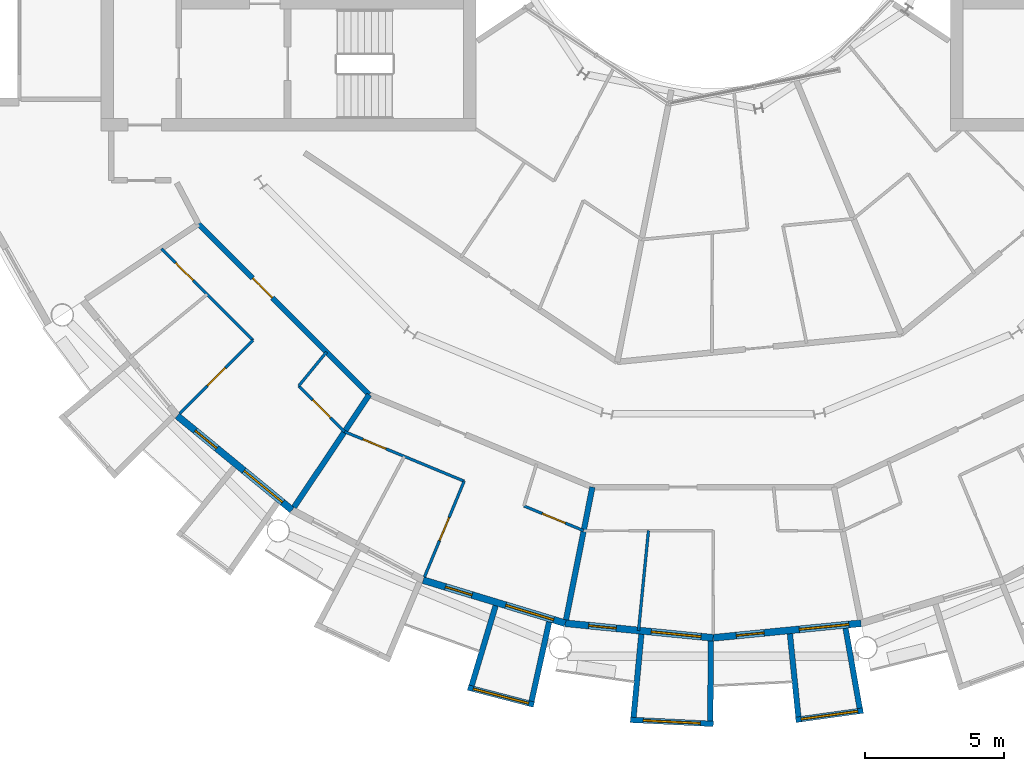
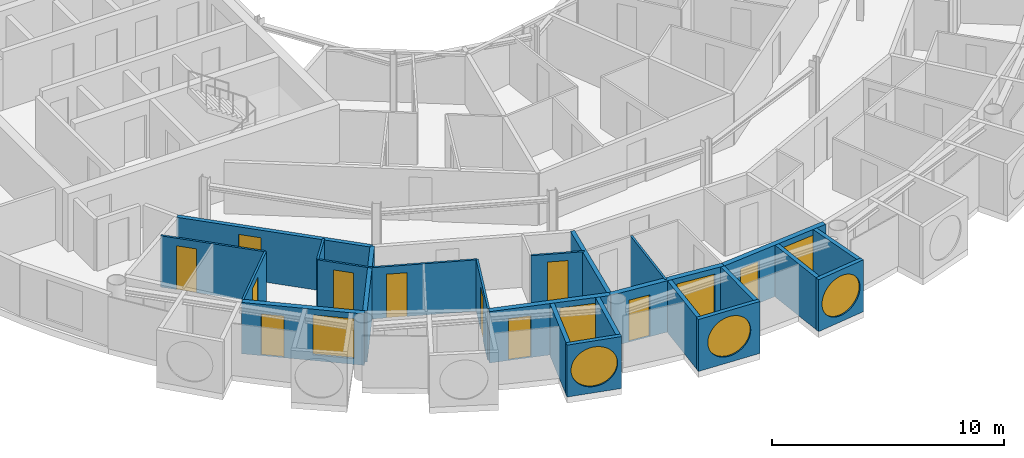
# One storey, part 15 of 29: 24 walls, 11 doors, 7 windows, 18 openings.
"""IFC4 building model written with IfcOpenShell, lengths in metres."""

from ifc_helpers import new_model, si_unit, direction, frame, frame_2d, origin, place, context, subcontext, project, spatial, rectangle, circle, extrude, material, layer, layer_set, type_object, element, fill, save


model = new_model("IFC4")

# Units and contexts
model_context = context("Model", 3, precision=1e-05, world=origin(), true_north=direction((0.0, 1.0)))
body_context = subcontext(model_context, "Body", "Model", "MODEL_VIEW")
ifc_project = project(units=[si_unit("LENGTHUNIT", "METRE"), si_unit("AREAUNIT", "SQUARE_METRE"), si_unit("VOLUMEUNIT", "CUBIC_METRE"), si_unit("PLANEANGLEUNIT", "RADIAN"), si_unit("MASSUNIT", "GRAM", prefix="KILO")], contexts=[model_context])

# Site, building, storey
site_placement = place(None, origin())
site = spatial("IfcSite", under=ifc_project, at=site_placement, CompositionType="ELEMENT")
building_placement = place(site_placement, origin())
building = spatial("IfcBuilding", under=site, at=building_placement, Name="Maasbend Ring Residences", CompositionType="ELEMENT")
storey_placement = place(building_placement, frame((0.0, 0.0, 215.75)))
storey = spatial("IfcBuildingStorey", under=building, at=storey_placement, Name="L62", CompositionType="ELEMENT", Elevation=215.75)

# Wall, opening, door
ifc_material_1 = material(Name="Concrete C30/37", Category="concrete")
ifc_layer_1 = layer(ifc_material_1, 0.199951171875)
ifc_layer_set_1 = layer_set([ifc_layer_1], Name="Concrete C30/37")
wall_type_1 = type_object("IfcWallType", Name="CORRIDOR WALL 200 CONCRETE", PredefinedType="PARTITIONING", material=ifc_layer_set_1)
wall_1_placement = place(storey_placement, frame((-18.5419921875, -12.388916015625, 0.0), z_axis=(0.0, 0.0, 1.0), x_axis=(0.707106781187, -0.707106781187, 0.0)))
wall_1 = element("IfcWall", 1, at=wall_1_placement, inside=storey, type_object=wall_type_1, Name="U-L62-w014", PredefinedType="PARTITIONING", context=body_context, shape_type="SweptSolid", body=[
    extrude(rectangle(XDim=8.70166015625, YDim=0.199951171875, at=frame_2d((4.350830078125, 0.0))), origin(), (0.0, 0.0, 1.0), 2.699951171875),
])
opening_1_placement = place(wall_1_placement, frame((2.762939453125, 0.0, 0.0)))
opening_1 = element("IfcOpeningElement", 2, at=opening_1_placement, cuts=wall_1, Name="Opening D-6235", PredefinedType="OPENING", context=body_context, shape_type="SweptSolid", body=[
    extrude(rectangle(XDim=1.0, YDim=2.300048828125, at=frame_2d((0.5, 1.14990234375))), frame((0.0, 0.10986328125, 0.0), z_axis=(0.0, -1.0, 0.0), x_axis=(1.0, 0.0, 0.0)), (0.0, 0.0, 1.0), 0.219970703125),
])
ifc_material_2 = material(Name="Timber, fire-rated, painted", Category="wood")
door_type_1 = type_object("IfcDoorType", Name="FLAT ENTRANCE DOOR 1000 X 2300 FIRE-RATED", OperationType="NOTDEFINED", PredefinedType="DOOR", material=ifc_material_2)
door_1_placement = place(opening_1_placement, origin())
door_1 = element("IfcDoor", 3, at=door_1_placement, inside=storey, type_object=door_type_1, Name="D-6235", OperationType="SINGLE_SWING_LEFT", OverallHeight=2.300048828125, OverallWidth=1.0, PredefinedType="DOOR", context=body_context, shape_type="SweptSolid", body=[
    extrude(rectangle(XDim=1.0, YDim=2.300048828125, at=frame_2d((0.5, 1.14990234375))), frame((0.0, 0.02490234375, 0.0), z_axis=(0.0, -1.0, 0.0), x_axis=(1.0, 0.0, 0.0)), (0.0, 0.0, 1.0), 0.050048828125),
])
fill(opening_1, door_1)

# Wall, opening, window
ifc_material_3 = material(Name="Pale anodised aluminium panel", Category="aluminium")
ifc_layer_2 = layer(ifc_material_3, 0.199951171875)
ifc_layer_set_2 = layer_set([ifc_layer_2], Name="EW-BOX")
wall_type_2 = type_object("IfcWallType", Name="EW-BOX", PredefinedType="SOLIDWALL", material=ifc_layer_set_2)
wall_2_placement = place(storey_placement, frame((-8.8291015625, -29.090087890625, -0.030029296875), z_axis=(0.0, 0.0, 1.0), x_axis=(0.96789536872, -0.251353446784, 0.0)))
wall_2 = element("IfcWall", 4, at=wall_2_placement, inside=storey, type_object=wall_type_2, Name="Box front S08", PredefinedType="SOLIDWALL", context=body_context, shape_type="SweptSolid", body=[
    extrude(rectangle(XDim=2.44677734375, YDim=0.199951171875, at=frame_2d((1.223388671875, 0.0))), origin(), (0.0, 0.0, 1.0), 2.72998046875),
])
opening_2_placement = place(wall_2_placement, frame((0.182861328125, 0.0, 0.330078125)))
opening_2 = element("IfcOpeningElement", 5, at=opening_2_placement, cuts=wall_2, Name="Opening W-RD", PredefinedType="OPENING", context=body_context, shape_type="SweptSolid", body=[
    extrude(circle(Radius=1.0400390625, at=frame_2d((1.0400390625, 1.0400390625))), frame((0.0, 0.10986328125, 0.0), z_axis=(0.0, -1.0, 0.0), x_axis=(1.0, 0.0, 0.0)), (0.0, 0.0, 1.0), 0.219970703125),
])
ifc_material_4 = material(Name="Aluminium and clear glass", Category="aluminium")
window_type_1 = type_object("IfcWindowType", Name="W-RD", PartitioningType="SINGLE_PANEL", PredefinedType="WINDOW", material=ifc_material_4)
window_1_placement = place(opening_2_placement, origin())
window_1 = element("IfcWindow", 6, at=window_1_placement, inside=storey, type_object=window_type_1, Name="Round window S08", OverallHeight=2.080078125, OverallWidth=2.080078125, PartitioningType="SINGLE_PANEL", PredefinedType="WINDOW", context=body_context, shape_type="SweptSolid", body=[
    extrude(circle(Radius=1.0400390625, at=frame_2d((1.0400390625, 1.0400390625))), frame((0.0, 0.030029296875, 0.0), z_axis=(0.0, -1.0, 0.0), x_axis=(1.0, 0.0, 0.0)), (0.0, 0.0, 1.0), 0.06005859375),
])
fill(opening_2, window_1)

# Walls
wall_3_placement = place(storey_placement, frame((-7.8369140625, -26.14404296875, -0.030029296875), z_axis=(0.0, 0.0, 1.0), x_axis=(-0.287064767992, -0.957911174889, 0.0)))
element("IfcWall", 7, at=wall_3_placement, inside=storey, type_object=wall_type_2, Name="Box side wall S08 left", PredefinedType="SOLIDWALL", context=body_context, shape_type="SweptSolid", body=[
    extrude(rectangle(XDim=3.00634765625, YDim=0.199951171875, at=frame_2d((1.503173828125, 0.0))), origin(), (0.0, 0.0, 1.0), 2.72998046875),
])
wall_4_placement = place(storey_placement, frame((-5.908935546875, -26.72900390625, -0.030029296875), z_axis=(0.0, 0.0, 1.0), x_axis=(-0.216409053917, -0.976302781612, 0.0)))
element("IfcWall", 8, at=wall_4_placement, inside=storey, type_object=wall_type_2, Name="Box side wall S08 right", PredefinedType="SOLIDWALL", context=body_context, shape_type="SweptSolid", body=[
    extrude(rectangle(XDim=2.92529296875, YDim=0.199951171875, at=frame_2d((1.462646484375, 0.0))), origin(), (0.0, 0.0, 1.0), 2.72998046875),
])

# Wall, opening, window
wall_5_placement = place(storey_placement, frame((-2.985107421875, -30.2529296875, -0.030029296875), z_axis=(0.0, 0.0, 1.0), x_axis=(0.998794083011, -0.049095618353, 0.0)))
wall_5 = element("IfcWall", 9, at=wall_5_placement, inside=storey, type_object=wall_type_2, Name="Box front S10", PredefinedType="SOLIDWALL", context=body_context, shape_type="SweptSolid", body=[
    extrude(rectangle(XDim=2.99365234375, YDim=0.199951171875, at=frame_2d((1.496826171875, 0.0))), origin(), (0.0, 0.0, 1.0), 2.72998046875),
])
opening_3_placement = place(wall_5_placement, frame((0.45654296875, 0.0, 0.330078125)))
opening_3 = element("IfcOpeningElement", 10, at=opening_3_placement, cuts=wall_5, Name="Opening W-RD", PredefinedType="OPENING", context=body_context, shape_type="SweptSolid", body=[
    extrude(circle(Radius=1.0400390625, at=frame_2d((1.0400390625, 1.0400390625))), frame((0.0, 0.10986328125, 0.0), z_axis=(0.0, -1.0, 0.0), x_axis=(1.0, 0.0, 0.0)), (0.0, 0.0, 1.0), 0.219970703125),
])
window_2_placement = place(opening_3_placement, origin())
window_2 = element("IfcWindow", 11, at=window_2_placement, inside=storey, type_object=window_type_1, Name="Round window S10", OverallHeight=2.080078125, OverallWidth=2.080078125, PartitioningType="SINGLE_PANEL", PredefinedType="WINDOW", context=body_context, shape_type="SweptSolid", body=[
    extrude(circle(Radius=1.0400390625, at=frame_2d((1.0400390625, 1.0400390625))), frame((0.0, 0.030029296875, 0.0), z_axis=(0.0, -1.0, 0.0), x_axis=(1.0, 0.0, 0.0)), (0.0, 0.0, 1.0), 0.06005859375),
])
fill(opening_3, window_2)

# Walls
wall_6_placement = place(storey_placement, frame((-2.5859375, -27.1708984375, -0.030029296875), z_axis=(0.0, 0.0, 1.0), x_axis=(-0.094548432284, -0.995520262954, 0.0)))
element("IfcWall", 12, at=wall_6_placement, inside=storey, type_object=wall_type_2, Name="Box side wall S10 left", PredefinedType="SOLIDWALL", context=body_context, shape_type="SweptSolid", body=[
    extrude(rectangle(XDim=3.005615234375, YDim=0.199951171875, at=frame_2d((1.5029296875, 0.0))), origin(), (0.0, 0.0, 1.0), 2.72998046875),
])
wall_7_placement = place(storey_placement, frame((-0.090087890625, -27.4169921875, -0.030029296875), z_axis=(0.0, 0.0, 1.0), x_axis=(-0.00347308367, -0.999993968827, 0.0)))
element("IfcWall", 13, at=wall_7_placement, inside=storey, type_object=wall_type_2, Name="Box side wall S10 right", PredefinedType="SOLIDWALL", context=body_context, shape_type="SweptSolid", body=[
    extrude(rectangle(XDim=2.882080078125, YDim=0.199951171875, at=frame_2d((1.44091796875, 0.0))), origin(), (0.0, 0.0, 1.0), 2.72998046875),
])

# Wall, opening, window
wall_8_placement = place(storey_placement, frame((2.97607421875, -30.25390625, -0.030029296875), z_axis=(0.0, 0.0, 1.0), x_axis=(0.990462016113, 0.137786046596, 0.0)))
wall_8 = element("IfcWall", 14, at=wall_8_placement, inside=storey, type_object=wall_type_2, Name="Box front S12", PredefinedType="SOLIDWALL", context=body_context, shape_type="SweptSolid", body=[
    extrude(rectangle(XDim=2.4453125, YDim=0.199951171875, at=frame_2d((1.22265625, 0.0))), origin(), (0.0, 0.0, 1.0), 2.72998046875),
])
opening_4_placement = place(wall_8_placement, frame((0.182861328125, 0.0, 0.330078125)))
opening_4 = element("IfcOpeningElement", 15, at=opening_4_placement, cuts=wall_8, Name="Opening W-RD", PredefinedType="OPENING", context=body_context, shape_type="SweptSolid", body=[
    extrude(circle(Radius=1.0400390625, at=frame_2d((1.0400390625, 1.0400390625))), frame((0.0, 0.10986328125, 0.0), z_axis=(0.0, -1.0, 0.0), x_axis=(1.0, 0.0, 0.0)), (0.0, 0.0, 1.0), 0.219970703125),
])
window_3_placement = place(opening_4_placement, origin())
window_3 = element("IfcWindow", 16, at=window_3_placement, inside=storey, type_object=window_type_1, Name="Round window S12", OverallHeight=2.080078125, OverallWidth=2.080078125, PartitioningType="SINGLE_PANEL", PredefinedType="WINDOW", context=body_context, shape_type="SweptSolid", body=[
    extrude(circle(Radius=1.0400390625, at=frame_2d((1.0400390625, 1.0400390625))), frame((0.0, 0.030029296875, 0.0), z_axis=(0.0, -1.0, 0.0), x_axis=(1.0, 0.0, 0.0)), (0.0, 0.0, 1.0), 0.06005859375),
])
fill(opening_4, window_3)

# Walls
wall_9_placement = place(storey_placement, frame((2.763916015625, -27.153076171875, -0.030029296875), z_axis=(0.0, 0.0, 1.0), x_axis=(0.101505487237, -0.994834979311, 0.0)))
element("IfcWall", 17, at=wall_9_placement, inside=storey, type_object=wall_type_2, Name="Box side wall S12 left", PredefinedType="SOLIDWALL", context=body_context, shape_type="SweptSolid", body=[
    extrude(rectangle(XDim=3.006591796875, YDim=0.199951171875, at=frame_2d((1.50341796875, 0.0))), origin(), (0.0, 0.0, 1.0), 2.72998046875),
])
wall_10_placement = place(storey_placement, frame((4.76904296875, -26.9560546875, -0.030029296875), z_axis=(0.0, 0.0, 1.0), x_axis=(0.174056778901, -0.984735618183, 0.0)))
element("IfcWall", 18, at=wall_10_placement, inside=storey, type_object=wall_type_2, Name="Box side wall S12 right", PredefinedType="SOLIDWALL", context=body_context, shape_type="SweptSolid", body=[
    extrude(rectangle(XDim=2.924560546875, YDim=0.199951171875, at=frame_2d((1.46240234375, 0.0))), origin(), (0.0, 0.0, 1.0), 2.72998046875),
])

# Wall, openings, door, window
ifc_material_5 = material(Name="Aluminium clad insulated panel", Category="aluminium")
ifc_layer_3 = layer(ifc_material_5, 0.25)
ifc_layer_set_3 = layer_set([ifc_layer_3], Name="EW-GL")
wall_type_3 = type_object("IfcWallType", Name="EW-GL", PredefinedType="SOLIDWALL", material=ifc_layer_set_3)
wall_11_placement = place(storey_placement, frame((-19.303955078125, -19.303955078125, 0.0), z_axis=(0.0, 0.0, 1.0), x_axis=(0.773019449054, -0.634382322723, 0.0)))
wall_11 = element("IfcWall", 19, at=wall_11_placement, inside=storey, type_object=wall_type_3, Name="External wall S02", PredefinedType="SOLIDWALL", context=body_context, shape_type="SweptSolid", body=[
    extrude(rectangle(XDim=5.351806640625, YDim=0.25, at=frame_2d((2.67578125, 0.0))), origin(), (0.0, 0.0, 1.0), 2.699951171875),
])
opening_5_placement = place(wall_11_placement, frame((0.841064453125, 0.0, 0.0)))
opening_5 = element("IfcOpeningElement", 20, at=opening_5_placement, cuts=wall_11, Name="Opening D-LG", PredefinedType="OPENING", context=body_context, shape_type="SweptSolid", body=[
    extrude(rectangle(XDim=1.0, YDim=2.199951171875, at=frame_2d((0.5, 1.10009765625))), frame((0.0, 0.135009765625, 0.0), z_axis=(0.0, -1.0, 0.0), x_axis=(1.0, 0.0, 0.0)), (0.0, 0.0, 1.0), 0.27001953125),
])
opening_6_placement = place(wall_11_placement, frame((3.110595703125, 0.0, 0.300048828125)))
opening_6 = element("IfcOpeningElement", 21, at=opening_6_placement, cuts=wall_11, Name="Opening W-BX", PredefinedType="OPENING", context=body_context, shape_type="SweptSolid", body=[
    extrude(rectangle(XDim=1.800048828125, YDim=2.10009765625, at=frame_2d((0.89990234375, 1.050048828125))), frame((0.0, 0.135009765625, 0.0), z_axis=(0.0, -1.0, 0.0), x_axis=(1.0, 0.0, 0.0)), (0.0, 0.0, 1.0), 0.27001953125),
])
ifc_material_6 = material(Name="Aluminium and clear glass", Category="aluminium")
door_type_2 = type_object("IfcDoorType", Name="D-LG", OperationType="SINGLE_SWING_LEFT", PredefinedType="DOOR", material=ifc_material_6)
door_2_placement = place(opening_5_placement, origin())
door_2 = element("IfcDoor", 22, at=door_2_placement, inside=storey, type_object=door_type_2, Name="Loggia door S03", OperationType="SINGLE_SWING_LEFT", OverallHeight=2.199951171875, OverallWidth=1.0, PredefinedType="DOOR", context=body_context, shape_type="SweptSolid", body=[
    extrude(rectangle(XDim=1.0, YDim=2.199951171875, at=frame_2d((0.5, 1.10009765625))), frame((0.0, 0.02490234375, 0.0), z_axis=(0.0, -1.0, 0.0), x_axis=(1.0, 0.0, 0.0)), (0.0, 0.0, 1.0), 0.050048828125),
])
fill(opening_5, door_2)
ifc_material_7 = material(Name="Aluminium and clear glass", Category="aluminium")
window_type_2 = type_object("IfcWindowType", Name="W-BX", PartitioningType="DOUBLE_PANEL_VERTICAL", PredefinedType="WINDOW", material=ifc_material_7)
window_4_placement = place(opening_6_placement, origin())
window_4 = element("IfcWindow", 23, at=window_4_placement, inside=storey, type_object=window_type_2, Name="Window S04 room to box", OverallHeight=2.10009765625, OverallWidth=1.800048828125, PartitioningType="SINGLE_PANEL", PredefinedType="WINDOW", context=body_context, shape_type="SweptSolid", body=[
    extrude(rectangle(XDim=1.800048828125, YDim=2.10009765625, at=frame_2d((0.89990234375, 1.050048828125))), frame((0.0, 0.030029296875, 0.0), z_axis=(0.0, -1.0, 0.0), x_axis=(1.0, 0.0, 0.0)), (0.0, 0.0, 1.0), 0.06005859375),
])
fill(opening_6, window_4)

wall_12_placement = place(storey_placement, frame((-10.447021484375, -25.221923828125, 0.0), z_axis=(0.0, 0.0, 1.0), x_axis=(0.956965678721, -0.290201119486, 0.0)))
wall_12 = element("IfcWall", 24, at=wall_12_placement, inside=storey, type_object=wall_type_3, Name="External wall S04", PredefinedType="SOLIDWALL", context=body_context, shape_type="SweptSolid", body=[
    extrude(rectangle(XDim=5.351318359375, YDim=0.25, at=frame_2d((2.67578125, 0.0))), origin(), (0.0, 0.0, 1.0), 2.699951171875),
])
opening_7_placement = place(wall_12_placement, frame((0.841064453125, 0.0, 0.0)))
opening_7 = element("IfcOpeningElement", 25, at=opening_7_placement, cuts=wall_12, Name="Opening D-LG", PredefinedType="OPENING", context=body_context, shape_type="SweptSolid", body=[
    extrude(rectangle(XDim=1.0, YDim=2.199951171875, at=frame_2d((0.5, 1.10009765625))), frame((0.0, 0.135009765625, 0.0), z_axis=(0.0, -1.0, 0.0), x_axis=(1.0, 0.0, 0.0)), (0.0, 0.0, 1.0), 0.27001953125),
])
opening_8_placement = place(wall_12_placement, frame((3.110595703125, 0.0, 0.300048828125)))
opening_8 = element("IfcOpeningElement", 26, at=opening_8_placement, cuts=wall_12, Name="Opening W-BX", PredefinedType="OPENING", context=body_context, shape_type="SweptSolid", body=[
    extrude(rectangle(XDim=1.800048828125, YDim=2.10009765625, at=frame_2d((0.89990234375, 1.050048828125))), frame((0.0, 0.135009765625, 0.0), z_axis=(0.0, -1.0, 0.0), x_axis=(1.0, 0.0, 0.0)), (0.0, 0.0, 1.0), 0.27001953125),
])
door_3_placement = place(opening_7_placement, origin())
door_3 = element("IfcDoor", 27, at=door_3_placement, inside=storey, type_object=door_type_2, Name="Loggia door S07", OperationType="SINGLE_SWING_LEFT", OverallHeight=2.199951171875, OverallWidth=1.0, PredefinedType="DOOR", context=body_context, shape_type="SweptSolid", body=[
    extrude(rectangle(XDim=1.0, YDim=2.199951171875, at=frame_2d((0.5, 1.10009765625))), frame((0.0, 0.02490234375, 0.0), z_axis=(0.0, -1.0, 0.0), x_axis=(1.0, 0.0, 0.0)), (0.0, 0.0, 1.0), 0.050048828125),
])
fill(opening_7, door_3)
window_5_placement = place(opening_8_placement, origin())
window_5 = element("IfcWindow", 28, at=window_5_placement, inside=storey, type_object=window_type_2, Name="Window S08 room to box", OverallHeight=2.10009765625, OverallWidth=1.800048828125, PartitioningType="SINGLE_PANEL", PredefinedType="WINDOW", context=body_context, shape_type="SweptSolid", body=[
    extrude(rectangle(XDim=1.800048828125, YDim=2.10009765625, at=frame_2d((0.89990234375, 1.050048828125))), frame((0.0, 0.030029296875, 0.0), z_axis=(0.0, -1.0, 0.0), x_axis=(1.0, 0.0, 0.0)), (0.0, 0.0, 1.0), 0.06005859375),
])
fill(opening_8, window_5)

wall_13_placement = place(storey_placement, frame((-5.325927734375, -26.77490234375, 0.0), z_axis=(0.0, 0.0, 1.0), x_axis=(0.995173996315, -0.098126026407, 0.0)))
wall_13 = element("IfcWall", 29, at=wall_13_placement, inside=storey, type_object=wall_type_3, Name="External wall S05", PredefinedType="SOLIDWALL", context=body_context, shape_type="SweptSolid", body=[
    extrude(rectangle(XDim=5.351806640625, YDim=0.25, at=frame_2d((2.67578125, 0.0))), origin(), (0.0, 0.0, 1.0), 2.699951171875),
])
opening_9_placement = place(wall_13_placement, frame((0.841064453125, 0.0, 0.0)))
opening_9 = element("IfcOpeningElement", 30, at=opening_9_placement, cuts=wall_13, Name="Opening D-LG", PredefinedType="OPENING", context=body_context, shape_type="SweptSolid", body=[
    extrude(rectangle(XDim=1.0, YDim=2.199951171875, at=frame_2d((0.5, 1.10009765625))), frame((0.0, 0.135009765625, 0.0), z_axis=(0.0, -1.0, 0.0), x_axis=(1.0, 0.0, 0.0)), (0.0, 0.0, 1.0), 0.27001953125),
])
opening_10_placement = place(wall_13_placement, frame((3.110595703125, 0.0, 0.300048828125)))
opening_10 = element("IfcOpeningElement", 31, at=opening_10_placement, cuts=wall_13, Name="Opening W-BX", PredefinedType="OPENING", context=body_context, shape_type="SweptSolid", body=[
    extrude(rectangle(XDim=1.800048828125, YDim=2.10009765625, at=frame_2d((0.89990234375, 1.050048828125))), frame((0.0, 0.135009765625, 0.0), z_axis=(0.0, -1.0, 0.0), x_axis=(1.0, 0.0, 0.0)), (0.0, 0.0, 1.0), 0.27001953125),
])
door_4_placement = place(opening_9_placement, origin())
door_4 = element("IfcDoor", 32, at=door_4_placement, inside=storey, type_object=door_type_2, Name="Loggia door S09", OperationType="SINGLE_SWING_LEFT", OverallHeight=2.199951171875, OverallWidth=1.0, PredefinedType="DOOR", context=body_context, shape_type="SweptSolid", body=[
    extrude(rectangle(XDim=1.0, YDim=2.199951171875, at=frame_2d((0.5, 1.10009765625))), frame((0.0, 0.02490234375, 0.0), z_axis=(0.0, -1.0, 0.0), x_axis=(1.0, 0.0, 0.0)), (0.0, 0.0, 1.0), 0.050048828125),
])
fill(opening_9, door_4)
window_6_placement = place(opening_10_placement, origin())
window_6 = element("IfcWindow", 33, at=window_6_placement, inside=storey, type_object=window_type_2, Name="Window S10 room to box", OverallHeight=2.10009765625, OverallWidth=1.800048828125, PartitioningType="SINGLE_PANEL", PredefinedType="WINDOW", context=body_context, shape_type="SweptSolid", body=[
    extrude(rectangle(XDim=1.800048828125, YDim=2.10009765625, at=frame_2d((0.89990234375, 1.050048828125))), frame((0.0, 0.030029296875, 0.0), z_axis=(0.0, -1.0, 0.0), x_axis=(1.0, 0.0, 0.0)), (0.0, 0.0, 1.0), 0.06005859375),
])
fill(opening_10, window_6)

wall_14_placement = place(storey_placement, frame((0.0, -27.300048828125, 0.0), z_axis=(0.0, 0.0, 1.0), x_axis=(0.995173996315, 0.098126026407, 0.0)))
wall_14 = element("IfcWall", 34, at=wall_14_placement, inside=storey, type_object=wall_type_3, Name="External wall S06", PredefinedType="SOLIDWALL", context=body_context, shape_type="SweptSolid", body=[
    extrude(rectangle(XDim=5.351806640625, YDim=0.25, at=frame_2d((2.67578125, 0.0))), origin(), (0.0, 0.0, 1.0), 2.699951171875),
])
opening_11_placement = place(wall_14_placement, frame((0.841064453125, 0.0, 0.0)))
opening_11 = element("IfcOpeningElement", 35, at=opening_11_placement, cuts=wall_14, Name="Opening D-LG", PredefinedType="OPENING", context=body_context, shape_type="SweptSolid", body=[
    extrude(rectangle(XDim=1.0, YDim=2.199951171875, at=frame_2d((0.5, 1.10009765625))), frame((0.0, 0.135009765625, 0.0), z_axis=(0.0, -1.0, 0.0), x_axis=(1.0, 0.0, 0.0)), (0.0, 0.0, 1.0), 0.27001953125),
])
opening_12_placement = place(wall_14_placement, frame((3.110595703125, 0.0, 0.300048828125)))
opening_12 = element("IfcOpeningElement", 36, at=opening_12_placement, cuts=wall_14, Name="Opening W-BX", PredefinedType="OPENING", context=body_context, shape_type="SweptSolid", body=[
    extrude(rectangle(XDim=1.800048828125, YDim=2.10009765625, at=frame_2d((0.89990234375, 1.050048828125))), frame((0.0, 0.135009765625, 0.0), z_axis=(0.0, -1.0, 0.0), x_axis=(1.0, 0.0, 0.0)), (0.0, 0.0, 1.0), 0.27001953125),
])
door_5_placement = place(opening_11_placement, origin())
door_5 = element("IfcDoor", 37, at=door_5_placement, inside=storey, type_object=door_type_2, Name="Loggia door S11", OperationType="SINGLE_SWING_LEFT", OverallHeight=2.199951171875, OverallWidth=1.0, PredefinedType="DOOR", context=body_context, shape_type="SweptSolid", body=[
    extrude(rectangle(XDim=1.0, YDim=2.199951171875, at=frame_2d((0.5, 1.10009765625))), frame((0.0, 0.02490234375, 0.0), z_axis=(0.0, -1.0, 0.0), x_axis=(1.0, 0.0, 0.0)), (0.0, 0.0, 1.0), 0.050048828125),
])
fill(opening_11, door_5)
window_7_placement = place(opening_12_placement, origin())
window_7 = element("IfcWindow", 38, at=window_7_placement, inside=storey, type_object=window_type_2, Name="Window S12 room to box", OverallHeight=2.10009765625, OverallWidth=1.800048828125, PartitioningType="SINGLE_PANEL", PredefinedType="WINDOW", context=body_context, shape_type="SweptSolid", body=[
    extrude(rectangle(XDim=1.800048828125, YDim=2.10009765625, at=frame_2d((0.89990234375, 1.050048828125))), frame((0.0, 0.030029296875, 0.0), z_axis=(0.0, -1.0, 0.0), x_axis=(1.0, 0.0, 0.0)), (0.0, 0.0, 1.0), 0.06005859375),
])
fill(opening_12, window_7)

# Wall, opening, door
ifc_material_8 = material(Name="Gypsum board on steel studs", Category="steel")
ifc_layer_4 = layer(ifc_material_8, 0.10009765625)
ifc_layer_set_4 = layer_set([ifc_layer_4], Name="PARTITION 100 GYPSUM")
wall_type_4 = type_object("IfcWallType", Name="PARTITION 100 GYPSUM", PredefinedType="PARTITIONING", material=ifc_layer_set_4)
wall_15_placement = place(storey_placement, frame((-19.868896484375, -13.284912109375, 0.0), z_axis=(0.0, 0.0, 1.0), x_axis=(0.707290020325, -0.706923494552, 0.0)))
wall_15 = element("IfcWall", 39, at=wall_15_placement, inside=storey, type_object=wall_type_4, Name="U-L62-w003", PredefinedType="PARTITIONING", context=body_context, shape_type="SweptSolid", body=[
    extrude(rectangle(XDim=4.66259765625, YDim=0.10009765625, at=frame_2d((2.331298828125, 0.0))), origin(), (0.0, 0.0, 1.0), 2.699951171875),
])
opening_13_placement = place(wall_15_placement, frame((0.7119140625, 0.0, 0.0)))
opening_13 = element("IfcOpeningElement", 40, at=opening_13_placement, cuts=wall_15, Name="Opening D-6238", PredefinedType="OPENING", context=body_context, shape_type="SweptSolid", body=[
    extrude(rectangle(XDim=0.89990234375, YDim=2.300048828125, at=frame_2d((0.449951171875, 1.14990234375))), frame((0.0, 0.06005859375, 0.0), z_axis=(0.0, -1.0, 0.0), x_axis=(1.0, 0.0, 0.0)), (0.0, 0.0, 1.0), 0.1201171875),
])
ifc_material_9 = material(Name="Timber, painted", Category="wood")
door_type_3 = type_object("IfcDoorType", Name="INTERNAL DOOR 900 X 2300", OperationType="NOTDEFINED", PredefinedType="DOOR", material=ifc_material_9)
door_6_placement = place(opening_13_placement, origin())
door_6 = element("IfcDoor", 41, at=door_6_placement, inside=storey, type_object=door_type_3, Name="D-6238", OperationType="SINGLE_SWING_LEFT", OverallHeight=2.300048828125, OverallWidth=0.89990234375, PredefinedType="DOOR", context=body_context, shape_type="SweptSolid", body=[
    extrude(rectangle(XDim=0.89990234375, YDim=2.300048828125, at=frame_2d((0.449951171875, 1.14990234375))), frame((0.0, 0.02490234375, 0.0), z_axis=(0.0, -1.0, 0.0), x_axis=(1.0, 0.0, 0.0)), (0.0, 0.0, 1.0), 0.050048828125),
])
fill(opening_13, door_6)

wall_16_placement = place(storey_placement, frame((-14.927001953125, -18.22412109375, 0.0), z_axis=(0.0, 0.0, 1.0), x_axis=(0.707316201218, -0.706897299114, 0.0)))
wall_16 = element("IfcWall", 42, at=wall_16_placement, inside=storey, type_object=wall_type_4, Name="U-L62-w004", PredefinedType="PARTITIONING", context=body_context, shape_type="SweptSolid", body=[
    extrude(rectangle(XDim=2.331298828125, YDim=0.10009765625, at=frame_2d((1.16552734375, 0.0))), origin(), (0.0, 0.0, 1.0), 2.699951171875),
])
opening_14_placement = place(wall_16_placement, frame((0.716064453125, 0.0, 0.0)))
opening_14 = element("IfcOpeningElement", 43, at=opening_14_placement, cuts=wall_16, Name="Opening D-6236", PredefinedType="OPENING", context=body_context, shape_type="SweptSolid", body=[
    extrude(rectangle(XDim=0.89990234375, YDim=2.300048828125, at=frame_2d((0.449951171875, 1.14990234375))), frame((0.0, 0.06005859375, 0.0), z_axis=(0.0, -1.0, 0.0), x_axis=(1.0, 0.0, 0.0)), (0.0, 0.0, 1.0), 0.1201171875),
])
door_7_placement = place(opening_14_placement, origin())
door_7 = element("IfcDoor", 44, at=door_7_placement, inside=storey, type_object=door_type_3, Name="D-6236", OperationType="SINGLE_SWING_LEFT", OverallHeight=2.300048828125, OverallWidth=0.89990234375, PredefinedType="DOOR", context=body_context, shape_type="SweptSolid", body=[
    extrude(rectangle(XDim=0.89990234375, YDim=2.300048828125, at=frame_2d((0.449951171875, 1.14990234375))), frame((0.0, 0.02490234375, 0.0), z_axis=(0.0, -1.0, 0.0), x_axis=(1.0, 0.0, 0.0)), (0.0, 0.0, 1.0), 0.050048828125),
])
fill(opening_14, door_7)

wall_17_placement = place(storey_placement, frame((-13.278076171875, -19.873046875, 0.0), z_axis=(0.0, 0.0, 1.0), x_axis=(0.923920484476, -0.38258455061, 0.0)))
wall_17 = element("IfcWall", 45, at=wall_17_placement, inside=storey, type_object=wall_type_4, Name="U-L62-w005", PredefinedType="PARTITIONING", context=body_context, shape_type="SweptSolid", body=[
    extrude(rectangle(XDim=4.662841796875, YDim=0.10009765625, at=frame_2d((2.33154296875, 0.0))), origin(), (0.0, 0.0, 1.0), 2.699951171875),
])
opening_15_placement = place(wall_17_placement, frame((0.715087890625, 0.0, 0.0)))
opening_15 = element("IfcOpeningElement", 46, at=opening_15_placement, cuts=wall_17, Name="Opening D-6242", PredefinedType="OPENING", context=body_context, shape_type="SweptSolid", body=[
    extrude(rectangle(XDim=0.89990234375, YDim=2.300048828125, at=frame_2d((0.449951171875, 1.14990234375))), frame((0.0, 0.06005859375, 0.0), z_axis=(0.0, -1.0, 0.0), x_axis=(1.0, 0.0, 0.0)), (0.0, 0.0, 1.0), 0.1201171875),
])
door_8_placement = place(opening_15_placement, origin())
door_8 = element("IfcDoor", 47, at=door_8_placement, inside=storey, type_object=door_type_3, Name="D-6242", OperationType="SINGLE_SWING_LEFT", OverallHeight=2.300048828125, OverallWidth=0.89990234375, PredefinedType="DOOR", context=body_context, shape_type="SweptSolid", body=[
    extrude(rectangle(XDim=0.89990234375, YDim=2.300048828125, at=frame_2d((0.449951171875, 1.14990234375))), frame((0.0, 0.02490234375, 0.0), z_axis=(0.0, -1.0, 0.0), x_axis=(1.0, 0.0, 0.0)), (0.0, 0.0, 1.0), 0.050048828125),
])
fill(opening_15, door_8)

wall_18_placement = place(storey_placement, frame((-6.81689453125, -22.549072265625, 0.0), z_axis=(0.0, 0.0, 1.0), x_axis=(0.923923664861, -0.382576870068, 0.0)))
wall_18 = element("IfcWall", 48, at=wall_18_placement, inside=storey, type_object=wall_type_4, Name="U-L62-w006", PredefinedType="PARTITIONING", context=body_context, shape_type="SweptSolid", body=[
    extrude(rectangle(XDim=2.3310546875, YDim=0.10009765625, at=frame_2d((1.16552734375, 0.0))), origin(), (0.0, 0.0, 1.0), 2.699951171875),
])
opening_16_placement = place(wall_18_placement, frame((0.716064453125, 0.0, 0.0)))
opening_16 = element("IfcOpeningElement", 49, at=opening_16_placement, cuts=wall_18, Name="Opening D-6240", PredefinedType="OPENING", context=body_context, shape_type="SweptSolid", body=[
    extrude(rectangle(XDim=0.89990234375, YDim=2.300048828125, at=frame_2d((0.449951171875, 1.14990234375))), frame((0.0, 0.06005859375, 0.0), z_axis=(0.0, -1.0, 0.0), x_axis=(1.0, 0.0, 0.0)), (0.0, 0.0, 1.0), 0.1201171875),
])
door_9_placement = place(opening_16_placement, origin())
door_9 = element("IfcDoor", 50, at=door_9_placement, inside=storey, type_object=door_type_3, Name="D-6240", OperationType="SINGLE_SWING_LEFT", OverallHeight=2.300048828125, OverallWidth=0.89990234375, PredefinedType="DOOR", context=body_context, shape_type="SweptSolid", body=[
    extrude(rectangle(XDim=0.89990234375, YDim=2.300048828125, at=frame_2d((0.449951171875, 1.14990234375))), frame((0.0, 0.02490234375, 0.0), z_axis=(0.0, -1.0, 0.0), x_axis=(1.0, 0.0, 0.0)), (0.0, 0.0, 1.0), 0.050048828125),
])
fill(opening_16, door_9)

# Wall
wall_19_placement = place(storey_placement, frame((-14.927001953125, -18.22412109375, 0.0), z_axis=(0.0, 0.0, 1.0), x_axis=(0.633861186344, 0.773446828454, 0.0)))
element("IfcWall", 51, at=wall_19_placement, inside=storey, type_object=wall_type_4, Name="U-L62-w033", PredefinedType="PARTITIONING", context=body_context, shape_type="SweptSolid", body=[
    extrude(rectangle(XDim=1.57763671875, YDim=0.10009765625, at=frame_2d((0.788818359375, 0.0))), origin(), (0.0, 0.0, 1.0), 2.699951171875),
])

# Wall, opening, door
wall_20_placement = place(storey_placement, frame((-19.216064453125, -19.216064453125, 0.0), z_axis=(0.0, 0.0, 1.0), x_axis=(0.707106781187, 0.707106781187, 0.0)))
wall_20 = element("IfcWall", 52, at=wall_20_placement, inside=storey, type_object=wall_type_4, Name="U-L62-w043", PredefinedType="PARTITIONING", context=body_context, shape_type="SweptSolid", body=[
    extrude(rectangle(XDim=3.735107421875, YDim=0.10009765625, at=frame_2d((1.86767578125, 0.0))), origin(), (0.0, 0.0, 1.0), 2.699951171875),
])
opening_17_placement = place(wall_20_placement, frame((1.4169921875, 0.0, 0.0)))
opening_17 = element("IfcOpeningElement", 53, at=opening_17_placement, cuts=wall_20, Name="Opening D-6237", PredefinedType="OPENING", context=body_context, shape_type="SweptSolid", body=[
    extrude(rectangle(XDim=0.89990234375, YDim=2.300048828125, at=frame_2d((0.449951171875, 1.14990234375))), frame((0.0, 0.06005859375, 0.0), z_axis=(0.0, -1.0, 0.0), x_axis=(1.0, 0.0, 0.0)), (0.0, 0.0, 1.0), 0.1201171875),
])
door_10_placement = place(opening_17_placement, origin())
door_10 = element("IfcDoor", 54, at=door_10_placement, inside=storey, type_object=door_type_3, Name="D-6237", OperationType="SINGLE_SWING_LEFT", OverallHeight=2.300048828125, OverallWidth=0.89990234375, PredefinedType="DOOR", context=body_context, shape_type="SweptSolid", body=[
    extrude(rectangle(XDim=0.89990234375, YDim=2.300048828125, at=frame_2d((0.449951171875, 1.14990234375))), frame((0.0, 0.02490234375, 0.0), z_axis=(0.0, -1.0, 0.0), x_axis=(1.0, 0.0, 0.0)), (0.0, 0.0, 1.0), 0.050048828125),
])
fill(opening_17, door_10)

wall_21_placement = place(storey_placement, frame((-10.39892578125, -25.10595703125, 0.0), z_axis=(0.0, 0.0, 1.0), x_axis=(0.382669377748, 0.923885353999, 0.0)))
wall_21 = element("IfcWall", 55, at=wall_21_placement, inside=storey, type_object=wall_type_4, Name="U-L62-w050", PredefinedType="PARTITIONING", context=body_context, shape_type="SweptSolid", body=[
    extrude(rectangle(XDim=3.734130859375, YDim=0.10009765625, at=frame_2d((1.8671875, 0.0))), origin(), (0.0, 0.0, 1.0), 2.699951171875),
])
opening_18_placement = place(wall_21_placement, frame((1.4169921875, 0.0, 0.0)))
opening_18 = element("IfcOpeningElement", 56, at=opening_18_placement, cuts=wall_21, Name="Opening D-6241", PredefinedType="OPENING", context=body_context, shape_type="SweptSolid", body=[
    extrude(rectangle(XDim=0.89990234375, YDim=2.300048828125, at=frame_2d((0.449951171875, 1.14990234375))), frame((0.0, 0.06005859375, 0.0), z_axis=(0.0, -1.0, 0.0), x_axis=(1.0, 0.0, 0.0)), (0.0, 0.0, 1.0), 0.1201171875),
])
door_11_placement = place(opening_18_placement, origin())
door_11 = element("IfcDoor", 57, at=door_11_placement, inside=storey, type_object=door_type_3, Name="D-6241", OperationType="SINGLE_SWING_RIGHT", OverallHeight=2.300048828125, OverallWidth=0.89990234375, PredefinedType="DOOR", context=body_context, shape_type="SweptSolid", body=[
    extrude(rectangle(XDim=0.89990234375, YDim=2.300048828125, at=frame_2d((0.449951171875, 1.14990234375))), frame((0.0, 0.02490234375, 0.0), z_axis=(0.0, -1.0, 0.0), x_axis=(1.0, 0.0, 0.0)), (0.0, 0.0, 1.0), 0.050048828125),
])
fill(opening_18, door_11)

# Walls
wall_22_placement = place(storey_placement, frame((-2.68896484375, -27.0419921875, 0.0), z_axis=(0.0, 0.0, 1.0), x_axis=(0.098902534616, 0.995097125233, 0.0)))
element("IfcWall", 58, at=wall_22_placement, inside=storey, type_object=wall_type_4, Name="U-L62-w061", PredefinedType="PARTITIONING", context=body_context, shape_type="SweptSolid", body=[
    extrude(rectangle(XDim=3.618896484375, YDim=0.10009765625, at=frame_2d((1.8095703125, 0.0))), origin(), (0.0, 0.0, 1.0), 2.699951171875),
])
ifc_material_10 = material(Name="Concrete C30/37", Category="concrete")
ifc_layer_5 = layer(ifc_material_10, 0.199951171875)
ifc_layer_set_5 = layer_set([ifc_layer_5], Name="Concrete C30/37")
wall_type_5 = type_object("IfcWallType", Name="PARTY WALL 200 CONCRETE", PredefinedType="PARTITIONING", material=ifc_layer_set_5)
wall_23_placement = place(storey_placement, frame((-15.096923828125, -22.595947265625, 0.0), z_axis=(0.0, 0.0, 1.0), x_axis=(0.555462686211, 0.831541462723, 0.0)))
element("IfcWall", 59, at=wall_23_placement, inside=storey, type_object=wall_type_5, Name="U-L62-w045", PredefinedType="PARTITIONING", context=body_context, shape_type="SweptSolid", body=[
    extrude(rectangle(XDim=4.875244140625, YDim=0.199951171875, at=frame_2d((2.4375, 0.0))), origin(), (0.0, 0.0, 1.0), 2.699951171875),
])
wall_24_placement = place(storey_placement, frame((-5.302001953125, -26.653076171875, 0.0), z_axis=(0.0, 0.0, 1.0), x_axis=(0.195075825861, 0.980788163756, 0.0)))
element("IfcWall", 60, at=wall_24_placement, inside=storey, type_object=wall_type_5, Name="U-L62-w058", PredefinedType="PARTITIONING", context=body_context, shape_type="SweptSolid", body=[
    extrude(rectangle(XDim=4.874755859375, YDim=0.199951171875, at=frame_2d((2.4375, 0.0))), origin(), (0.0, 0.0, 1.0), 2.699951171875),
])

save(model, "model.ifc")
